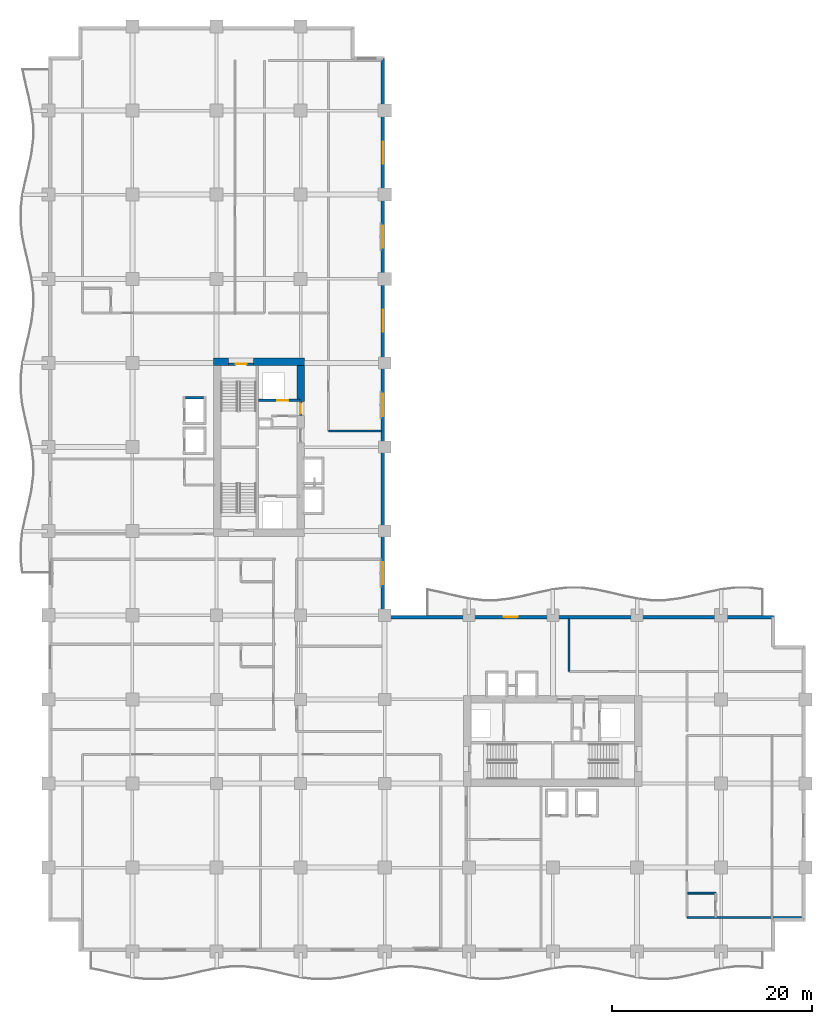
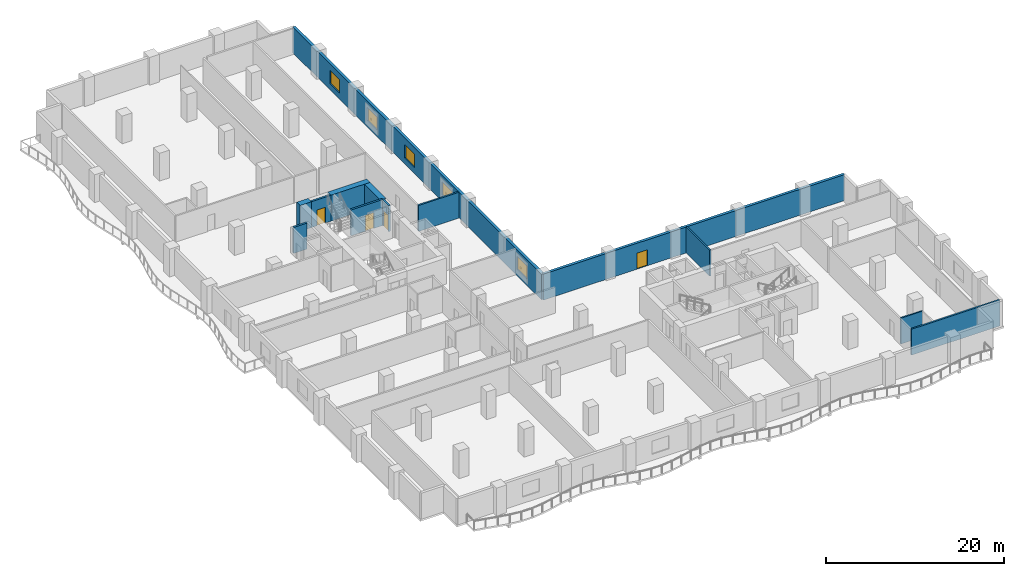
# One storey, part 7 of 15: 13 walls, 5 windows, 4 doors, 9 openings.
"""IFC4 building model written with IfcOpenShell, lengths in metres."""

from ifc_helpers import new_model, si_unit, direction, frame, frame_2d, origin, place, context, subcontext, project, spatial, rectangle, extrude, material, layer, layer_set, type_object, element, fill, save


model = new_model("IFC4")

# Units and contexts
model_context = context("Model", 3, precision=1e-05, world=origin(), true_north=direction((0.0, 1.0)))
body_context = subcontext(model_context, "Body", "Model", "MODEL_VIEW")
ifc_project = project(units=[si_unit("LENGTHUNIT", "METRE"), si_unit("AREAUNIT", "SQUARE_METRE"), si_unit("VOLUMEUNIT", "CUBIC_METRE"), si_unit("PLANEANGLEUNIT", "RADIAN"), si_unit("MASSUNIT", "GRAM", prefix="KILO")], contexts=[model_context])

# Site, building, storey
site_placement = place(None, origin())
site = spatial("IfcSite", under=ifc_project, at=site_placement, CompositionType="ELEMENT")
building_placement = place(site_placement, origin())
building = spatial("IfcBuilding", under=site, at=building_placement, Name="Koriwani Terraces Tower", CompositionType="ELEMENT")
storey_placement = place(building_placement, frame((0.0, 0.0, 138.0)))
storey = spatial("IfcBuildingStorey", under=building, at=storey_placement, Name="L33", CompositionType="ELEMENT", Elevation=138.0)

# Walls
ifc_material_1 = material(Name="Concrete C60/75", Category="concrete")
ifc_layer_1 = layer(ifc_material_1, 0.75, Name="Concrete C60/75")
ifc_layer_set_1 = layer_set([ifc_layer_1], Name="Concrete C60/75")
wall_type_1 = type_object("IfcWallType", Name="WALL_CORE_RC_750", PredefinedType="SHEAR", material=ifc_layer_set_1)
wall_1_placement = place(storey_placement, frame((16.5, 58.925048828125, 0.0), z_axis=(0.0, 0.0, 1.0), x_axis=(1.0, 0.0, 0.0)))
element("IfcWall", 1, at=wall_1_placement, inside=storey, type_object=wall_type_1, Name="L33 West Split Core Shear Wall N1", PredefinedType="SHEAR", context=body_context, shape_type="SweptSolid", body=[
    extrude(rectangle(XDim=1.5, YDim=0.75, at=frame_2d((0.75, 0.0))), origin(), (0.0, 0.0, 1.0), 3.550048828125),
])
wall_2_placement = place(storey_placement, frame((20.5, 58.925048828125, 0.0), z_axis=(0.0, 0.0, 1.0), x_axis=(1.0, 0.0, 0.0)))
element("IfcWall", 2, at=wall_2_placement, inside=storey, type_object=wall_type_1, Name="L33 West Split Core Shear Wall N2", PredefinedType="SHEAR", context=body_context, shape_type="SweptSolid", body=[
    extrude(rectangle(XDim=5.074951171875, YDim=0.75, at=frame_2d((2.53759765625, 0.0))), origin(), (0.0, 0.0, 1.0), 3.550048828125),
])
wall_3_placement = place(storey_placement, frame((25.199951171875, 54.949951171875, 0.0), z_axis=(0.0, 0.0, 1.0), x_axis=(0.0, 1.0, 0.0)))
element("IfcWall", 3, at=wall_3_placement, inside=storey, type_object=wall_type_1, Name="L33 West Split Core Shear Wall E3", PredefinedType="SHEAR", context=body_context, shape_type="SweptSolid", body=[
    extrude(rectangle(XDim=3.60009765625, YDim=0.75, at=frame_2d((1.800048828125, 0.0))), origin(), (0.0, 0.0, 1.0), 3.550048828125),
])
ifc_material_2 = material(Name="Autoclaved Cellular Concrete Blockwork", Category="masonry")
ifc_layer_2 = layer(ifc_material_2, 0.219970703125, Name="Autoclaved Cellular Concrete Blockwork")
ifc_layer_set_2 = layer_set([ifc_layer_2], Name="Autoclaved Cellular Concrete Blockwork")
wall_type_2 = type_object("IfcWallType", Name="WALL_DEMISING_220", PredefinedType="PARTITIONING", material=ifc_layer_set_2)
wall_4_placement = place(storey_placement, frame((28.0, 52.0, 0.0), z_axis=(0.0, 0.0, 1.0), x_axis=(1.0, 0.0, 0.0)))
element("IfcWall", 4, at=wall_4_placement, inside=storey, type_object=wall_type_2, Name="L33 Interior Wall WNWT2-S-L33", PredefinedType="PARTITIONING", context=body_context, shape_type="SweptSolid", body=[
    extrude(rectangle(XDim=5.300048828125, YDim=0.219970703125, at=frame_2d((2.64990234375, 0.0))), origin(), (0.0, 0.0, 1.0), 3.550048828125),
])
wall_5_placement = place(storey_placement, frame((63.800048828125, 3.39990234375, 0.0), z_axis=(0.0, 0.0, 1.0), x_axis=(1.0, 0.0, 0.0)))
element("IfcWall", 5, at=wall_5_placement, inside=storey, type_object=wall_type_2, Name="L33 Interior Wall WGB-L33-SETIP-S", PredefinedType="PARTITIONING", context=body_context, shape_type="SweptSolid", body=[
    extrude(rectangle(XDim=11.419921875, YDim=0.219970703125, at=frame_2d((5.7099609375, 0.0))), origin(), (0.0, 0.0, 1.0), 3.550048828125),
])
wall_6_placement = place(storey_placement, frame((52.0, 28.0, 0.0), z_axis=(0.0, 0.0, 1.0), x_axis=(0.0, 1.0, 0.0)))
element("IfcWall", 6, at=wall_6_placement, inside=storey, type_object=wall_type_2, Name="L33 Interior Wall WSET2-W-L33", PredefinedType="PARTITIONING", context=body_context, shape_type="SweptSolid", body=[
    extrude(rectangle(XDim=5.300048828125, YDim=0.219970703125, at=frame_2d((2.64990234375, 0.0))), origin(), (0.0, 0.0, 1.0), 3.550048828125),
])

# Wall, openings, windows
ifc_material_3 = material(Name="Concrete C50/60", Category="concrete")
ifc_layer_3 = layer(ifc_material_3, 0.35009765625, Name="Concrete C50/60")
ifc_layer_set_3 = layer_set([ifc_layer_3], Name="Concrete C50/60")
wall_type_3 = type_object("IfcWallType", Name="WALL_EXT_BRUTALIST_350", PredefinedType="STANDARD", material=ifc_layer_set_3)
wall_7_placement = place(storey_placement, frame((33.425048828125, 89.22509765625, 0.0), z_axis=(0.0, 0.0, 1.0), x_axis=(0.0, -1.0, 0.0)))
wall_7 = element("IfcWall", 7, at=wall_7_placement, inside=storey, type_object=wall_type_3, Name="L33 Fair-Faced Brutalist Exterior Wall (NW_IN)", PredefinedType="STANDARD", context=body_context, shape_type="SweptSolid", body=[
    extrude(rectangle(XDim=55.800048828125, YDim=0.35009765625, at=frame_2d((27.89990234375, 0.0))), origin(), (0.0, 0.0, 1.0), 3.550048828125),
])
opening_1_placement = place(wall_7_placement, frame((50.324951171875, 0.0, 0.85009765625)))
opening_1 = element("IfcOpeningElement", 8, at=opening_1_placement, cuts=wall_7, Name="Opening W-01", PredefinedType="OPENING", context=body_context, shape_type="SweptSolid", body=[
    extrude(rectangle(XDim=2.199951171875, YDim=1.800048828125, at=frame_2d((1.10009765625, 0.89990234375))), frame((0.0, 0.18505859375, 0.0), z_axis=(0.0, -1.0, 0.0), x_axis=(1.0, 0.0, 0.0)), (0.0, 0.0, 1.0), 0.3701171875),
])
opening_2_placement = place(wall_7_placement, frame((33.52490234375, 0.0, 0.85009765625)))
opening_2 = element("IfcOpeningElement", 9, at=opening_2_placement, cuts=wall_7, Name="Opening W-01", PredefinedType="OPENING", context=body_context, shape_type="SweptSolid", body=[
    extrude(rectangle(XDim=2.199951171875, YDim=1.800048828125, at=frame_2d((1.10009765625, 0.89990234375))), frame((0.0, 0.18505859375, 0.0), z_axis=(0.0, -1.0, 0.0), x_axis=(1.0, 0.0, 0.0)), (0.0, 0.0, 1.0), 0.3701171875),
])
opening_3_placement = place(wall_7_placement, frame((25.125, 0.0, 0.85009765625)))
opening_3 = element("IfcOpeningElement", 10, at=opening_3_placement, cuts=wall_7, Name="Opening W-01", PredefinedType="OPENING", context=body_context, shape_type="SweptSolid", body=[
    extrude(rectangle(XDim=2.199951171875, YDim=1.800048828125, at=frame_2d((1.10009765625, 0.89990234375))), frame((0.0, 0.18505859375, 0.0), z_axis=(0.0, -1.0, 0.0), x_axis=(1.0, 0.0, 0.0)), (0.0, 0.0, 1.0), 0.3701171875),
])
opening_4_placement = place(wall_7_placement, frame((16.72509765625, 0.0, 0.85009765625)))
opening_4 = element("IfcOpeningElement", 11, at=opening_4_placement, cuts=wall_7, Name="Opening W-01", PredefinedType="OPENING", context=body_context, shape_type="SweptSolid", body=[
    extrude(rectangle(XDim=2.199951171875, YDim=1.800048828125, at=frame_2d((1.10009765625, 0.89990234375))), frame((0.0, 0.18505859375, 0.0), z_axis=(0.0, -1.0, 0.0), x_axis=(1.0, 0.0, 0.0)), (0.0, 0.0, 1.0), 0.3701171875),
])
opening_5_placement = place(wall_7_placement, frame((8.324951171875, 0.0, 0.85009765625)))
opening_5 = element("IfcOpeningElement", 12, at=opening_5_placement, cuts=wall_7, Name="Opening W-01", PredefinedType="OPENING", context=body_context, shape_type="SweptSolid", body=[
    extrude(rectangle(XDim=2.199951171875, YDim=1.800048828125, at=frame_2d((1.10009765625, 0.89990234375))), frame((0.0, 0.18505859375, 0.0), z_axis=(0.0, -1.0, 0.0), x_axis=(1.0, 0.0, 0.0)), (0.0, 0.0, 1.0), 0.3701171875),
])
ifc_material_4 = material(Name="Tempered Laminated Low-E Glass", Category="glass")
window_type = type_object("IfcWindowType", Name="WIN_HOTEL_STD_2200X1800", PartitioningType="DOUBLE_PANEL_VERTICAL", PredefinedType="WINDOW", material=ifc_material_4)
window_1_placement = place(opening_1_placement, origin())
window_1 = element("IfcWindow", 13, at=window_1_placement, inside=storey, type_object=window_type, Name="L33 Exterior Window (NW_IN-2)", OverallHeight=1.800048828125, OverallWidth=2.199951171875, PartitioningType="SINGLE_PANEL", PredefinedType="WINDOW", context=body_context, shape_type="SweptSolid", body=[
    extrude(rectangle(XDim=2.199951171875, YDim=1.800048828125, at=frame_2d((1.10009765625, 0.89990234375))), frame((0.0, 0.030029296875, 0.0), z_axis=(0.0, -1.0, 0.0), x_axis=(1.0, 0.0, 0.0)), (0.0, 0.0, 1.0), 0.06005859375),
])
fill(opening_1, window_1)
window_2_placement = place(opening_2_placement, origin())
window_2 = element("IfcWindow", 14, at=window_2_placement, inside=storey, type_object=window_type, Name="L33 Exterior Window (NW_IN-8)", OverallHeight=1.800048828125, OverallWidth=2.199951171875, PartitioningType="SINGLE_PANEL", PredefinedType="WINDOW", context=body_context, shape_type="SweptSolid", body=[
    extrude(rectangle(XDim=2.199951171875, YDim=1.800048828125, at=frame_2d((1.10009765625, 0.89990234375))), frame((0.0, 0.030029296875, 0.0), z_axis=(0.0, -1.0, 0.0), x_axis=(1.0, 0.0, 0.0)), (0.0, 0.0, 1.0), 0.06005859375),
])
fill(opening_2, window_2)
window_3_placement = place(opening_3_placement, origin())
window_3 = element("IfcWindow", 15, at=window_3_placement, inside=storey, type_object=window_type, Name="L33 Exterior Window (NW_IN-11)", OverallHeight=1.800048828125, OverallWidth=2.199951171875, PartitioningType="SINGLE_PANEL", PredefinedType="WINDOW", context=body_context, shape_type="SweptSolid", body=[
    extrude(rectangle(XDim=2.199951171875, YDim=1.800048828125, at=frame_2d((1.10009765625, 0.89990234375))), frame((0.0, 0.030029296875, 0.0), z_axis=(0.0, -1.0, 0.0), x_axis=(1.0, 0.0, 0.0)), (0.0, 0.0, 1.0), 0.06005859375),
])
fill(opening_3, window_3)
window_4_placement = place(opening_4_placement, origin())
window_4 = element("IfcWindow", 16, at=window_4_placement, inside=storey, type_object=window_type, Name="L33 Exterior Window (NW_IN-14)", OverallHeight=1.800048828125, OverallWidth=2.199951171875, PartitioningType="SINGLE_PANEL", PredefinedType="WINDOW", context=body_context, shape_type="SweptSolid", body=[
    extrude(rectangle(XDim=2.199951171875, YDim=1.800048828125, at=frame_2d((1.10009765625, 0.89990234375))), frame((0.0, 0.030029296875, 0.0), z_axis=(0.0, -1.0, 0.0), x_axis=(1.0, 0.0, 0.0)), (0.0, 0.0, 1.0), 0.06005859375),
])
fill(opening_4, window_4)
window_5_placement = place(opening_5_placement, origin())
window_5 = element("IfcWindow", 17, at=window_5_placement, inside=storey, type_object=window_type, Name="L33 Exterior Window (NW_IN-17)", OverallHeight=1.800048828125, OverallWidth=2.199951171875, PartitioningType="SINGLE_PANEL", PredefinedType="WINDOW", context=body_context, shape_type="SweptSolid", body=[
    extrude(rectangle(XDim=2.199951171875, YDim=1.800048828125, at=frame_2d((1.10009765625, 0.89990234375))), frame((0.0, 0.030029296875, 0.0), z_axis=(0.0, -1.0, 0.0), x_axis=(1.0, 0.0, 0.0)), (0.0, 0.0, 1.0), 0.06005859375),
])
fill(opening_5, window_5)

# Wall, opening, door
wall_8_placement = place(storey_placement, frame((33.425048828125, 33.425048828125, 0.0), z_axis=(0.0, 0.0, 1.0), x_axis=(1.0, 0.0, 0.0)))
wall_8 = element("IfcWall", 18, at=wall_8_placement, inside=storey, type_object=wall_type_3, Name="L33 Fair-Faced Brutalist Exterior Wall (NE)", PredefinedType="STANDARD", context=body_context, shape_type="SweptSolid", body=[
    extrude(rectangle(XDim=39.0, YDim=0.35009765625, at=frame_2d((19.5, 0.0))), origin(), (0.0, 0.0, 1.0), 3.550048828125),
])
opening_6_placement = place(wall_8_placement, frame((12.074951171875, 0.0, 0.0)))
opening_6 = element("IfcOpeningElement", 19, at=opening_6_placement, cuts=wall_8, Name="Opening D-09", PredefinedType="OPENING", context=body_context, shape_type="SweptSolid", body=[
    extrude(rectangle(XDim=1.39990234375, YDim=2.199951171875, at=frame_2d((0.699951171875, 1.10009765625))), frame((0.0, 0.18505859375, 0.0), z_axis=(0.0, -1.0, 0.0), x_axis=(1.0, 0.0, 0.0)), (0.0, 0.0, 1.0), 0.3701171875),
])
ifc_material_5 = material(Name="Anodised Bronze Aluminium", Category="aluminium")
door_type_1 = type_object("IfcDoorType", Name="DOOR_BALCONY_GLAZED_1400X2200", OperationType="NOTDEFINED", PredefinedType="DOOR", material=ifc_material_5)
door_1_placement = place(opening_6_placement, origin())
door_1 = element("IfcDoor", 20, at=door_1_placement, inside=storey, type_object=door_type_1, Name="L33 Inner Court Balcony Glazed Door", OperationType="SINGLE_SWING_LEFT", OverallHeight=2.199951171875, OverallWidth=1.39990234375, PredefinedType="DOOR", context=body_context, shape_type="SweptSolid", body=[
    extrude(rectangle(XDim=1.39990234375, YDim=2.199951171875, at=frame_2d((0.699951171875, 1.10009765625))), frame((0.0, 0.02490234375, 0.0), z_axis=(0.0, -1.0, 0.0), x_axis=(1.0, 0.0, 0.0)), (0.0, 0.0, 1.0), 0.050048828125),
])
fill(opening_6, door_1)

# Wall
ifc_material_6 = material(Name="Fire-Rated Acoustic Gypsum Partition", Category="masonry")
ifc_layer_4 = layer(ifc_material_6, 0.179931640625, Name="Fire-Rated Acoustic Gypsum Partition")
ifc_layer_set_4 = layer_set([ifc_layer_4], Name="Fire-Rated Acoustic Gypsum Partition")
wall_type_4 = type_object("IfcWallType", Name="WALL_PLUMBING_180", PredefinedType="PLUMBINGWALL", material=ifc_layer_set_4)
wall_9_placement = place(storey_placement, frame((63.85009765625, 5.85009765625, 0.0), z_axis=(0.0, 0.0, 1.0), x_axis=(1.0, 0.0, 0.0)))
element("IfcWall", 21, at=wall_9_placement, inside=storey, type_object=wall_type_4, Name="L33 Interior Wall WGB-L33-SETIP-SV2", PredefinedType="PLUMBINGWALL", context=body_context, shape_type="SweptSolid", body=[
    extrude(rectangle(XDim=2.7998046875, YDim=0.179931640625, at=frame_2d((1.39990234375, 0.0))), origin(), (0.0, 0.0, 1.0), 3.550048828125),
])

# Wall, opening, door
ifc_material_7 = material(Name="Concrete C40/50", Category="concrete")
ifc_layer_5 = layer(ifc_material_7, 0.25, Name="Concrete C40/50")
ifc_layer_set_5 = layer_set([ifc_layer_5], Name="Concrete C40/50")
wall_type_5 = type_object("IfcWallType", Name="WALL_SHAFT_RATED_250", PredefinedType="SOLIDWALL", material=ifc_layer_set_5)
wall_10_placement = place(storey_placement, frame((18.0, 58.675048828125, 0.0), z_axis=(0.0, 0.0, 1.0), x_axis=(1.0, 0.0, 0.0)))
wall_10 = element("IfcWall", 22, at=wall_10_placement, inside=storey, type_object=wall_type_5, Name="L33 Interior Wall WIN-CW-L33-STN", PredefinedType="SOLIDWALL", context=body_context, shape_type="SweptSolid", body=[
    extrude(rectangle(XDim=2.5, YDim=0.25, at=frame_2d((1.25, 0.0))), origin(), (0.0, 0.0, 1.0), 3.550048828125),
])
opening_7_placement = place(wall_10_placement, frame((0.699951171875, 0.0, 0.0)))
opening_7 = element("IfcOpeningElement", 23, at=opening_7_placement, cuts=wall_10, Name="Opening D-03", PredefinedType="OPENING", context=body_context, shape_type="SweptSolid", body=[
    extrude(rectangle(XDim=1.10009765625, YDim=2.14990234375, at=frame_2d((0.550048828125, 1.074951171875))), frame((0.0, 0.135009765625, 0.0), z_axis=(0.0, -1.0, 0.0), x_axis=(1.0, 0.0, 0.0)), (0.0, 0.0, 1.0), 0.27001953125),
])
ifc_material_8 = material(Name="Steel ASTM A572 Grade 50", Category="steel")
door_type_2 = type_object("IfcDoorType", Name="DOOR_STAIR_FIRE_1100X2150", OperationType="NOTDEFINED", PredefinedType="DOOR", material=ifc_material_8)
door_2_placement = place(opening_7_placement, origin())
door_2 = element("IfcDoor", 24, at=door_2_placement, inside=storey, type_object=door_type_2, Name="L33 Exit Stair ST-W2 Door", OperationType="SINGLE_SWING_RIGHT", OverallHeight=2.14990234375, OverallWidth=1.10009765625, PredefinedType="DOOR", context=body_context, shape_type="SweptSolid", body=[
    extrude(rectangle(XDim=1.10009765625, YDim=2.14990234375, at=frame_2d((0.550048828125, 1.074951171875))), frame((0.0, 0.02490234375, 0.0), z_axis=(0.0, -1.0, 0.0), x_axis=(1.0, 0.0, 0.0)), (0.0, 0.0, 1.0), 0.050048828125),
])
fill(opening_7, door_2)

wall_11_placement = place(storey_placement, frame((21.0, 55.050048828125, 0.0), z_axis=(0.0, 0.0, 1.0), x_axis=(1.0, 0.0, 0.0)))
wall_11 = element("IfcWall", 25, at=wall_11_placement, inside=storey, type_object=wall_type_5, Name="L33 Interior Wall WIN-CW-L33-SE", PredefinedType="SOLIDWALL", context=body_context, shape_type="SweptSolid", body=[
    extrude(rectangle(XDim=4.14990234375, YDim=0.25, at=frame_2d((2.074951171875, 0.0))), origin(), (0.0, 0.0, 1.0), 3.550048828125),
])
opening_8_placement = place(wall_11_placement, frame((1.85009765625, 0.0, 0.0)))
opening_8 = element("IfcOpeningElement", 26, at=opening_8_placement, cuts=wall_11, Name="Opening LD-01", PredefinedType="OPENING", context=body_context, shape_type="SweptSolid", body=[
    extrude(rectangle(XDim=1.10009765625, YDim=2.14990234375, at=frame_2d((0.550048828125, 1.074951171875))), frame((0.0, 0.135009765625, 0.0), z_axis=(0.0, -1.0, 0.0), x_axis=(1.0, 0.0, 0.0)), (0.0, 0.0, 1.0), 0.27001953125),
])
door_type_3 = type_object("IfcDoorType", Name="DOOR_LIFT_LANDING_1100X2200", OperationType="NOTDEFINED", PredefinedType="DOOR", material=ifc_material_8)
door_3_placement = place(opening_8_placement, origin())
door_3 = element("IfcDoor", 27, at=door_3_placement, inside=storey, type_object=door_type_3, Name="L33 Goods Lift SE-01 Landing Door", OperationType="SLIDING_TO_LEFT", OverallHeight=2.14990234375, OverallWidth=1.10009765625, PredefinedType="DOOR", context=body_context, shape_type="SweptSolid", body=[
    extrude(rectangle(XDim=1.10009765625, YDim=2.14990234375, at=frame_2d((0.550048828125, 1.074951171875))), frame((0.0, 0.02490234375, 0.0), z_axis=(0.0, -1.0, 0.0), x_axis=(1.0, 0.0, 0.0)), (0.0, 0.0, 1.0), 0.050048828125),
])
fill(opening_8, door_3)

wall_12_placement = place(storey_placement, frame((25.199951171875, 53.550048828125, 0.0), z_axis=(0.0, 0.0, 1.0), x_axis=(0.0, 1.0, 0.0)))
wall_12 = element("IfcWall", 28, at=wall_12_placement, inside=storey, type_object=wall_type_5, Name="L33 Interior Wall WIN-CW-L33-EP2", PredefinedType="SOLIDWALL", context=body_context, shape_type="SweptSolid", body=[
    extrude(rectangle(XDim=1.39990234375, YDim=0.25, at=frame_2d((0.699951171875, 0.0))), origin(), (0.0, 0.0, 1.0), 3.550048828125),
])
opening_9_placement = place(wall_12_placement, frame((0.14990234375, 0.0, 0.0)))
opening_9 = element("IfcOpeningElement", 29, at=opening_9_placement, cuts=wall_12, Name="Opening D-03", PredefinedType="OPENING", context=body_context, shape_type="SweptSolid", body=[
    extrude(rectangle(XDim=1.10009765625, YDim=2.14990234375, at=frame_2d((0.550048828125, 1.074951171875))), frame((0.0, 0.135009765625, 0.0), z_axis=(0.0, -1.0, 0.0), x_axis=(1.0, 0.0, 0.0)), (0.0, 0.0, 1.0), 0.27001953125),
])
door_4_placement = place(opening_9_placement, origin())
door_4 = element("IfcDoor", 30, at=door_4_placement, inside=storey, type_object=door_type_2, Name="L33 West Goods Lift Lobby Door", OperationType="SINGLE_SWING_RIGHT", OverallHeight=2.14990234375, OverallWidth=1.10009765625, PredefinedType="DOOR", context=body_context, shape_type="SweptSolid", body=[
    extrude(rectangle(XDim=1.10009765625, YDim=2.14990234375, at=frame_2d((0.550048828125, 1.074951171875))), frame((0.0, 0.02490234375, 0.0), z_axis=(0.0, -1.0, 0.0), x_axis=(1.0, 0.0, 0.0)), (0.0, 0.0, 1.0), 0.050048828125),
])
fill(opening_9, door_4)

# Wall
wall_13_placement = place(storey_placement, frame((13.72509765625, 55.300048828125, 0.0), z_axis=(0.0, 0.0, 1.0), x_axis=(1.0, 0.0, 0.0)))
element("IfcWall", 31, at=wall_13_placement, inside=storey, type_object=wall_type_5, Name="L33 Interior Wall WIN-LF-PE-M2-L33-N", PredefinedType="SOLIDWALL", context=body_context, shape_type="SweptSolid", body=[
    extrude(rectangle(XDim=1.75, YDim=0.25, at=frame_2d((0.875, 0.0))), origin(), (0.0, 0.0, 1.0), 3.550048828125),
])

save(model, "model.ifc")
